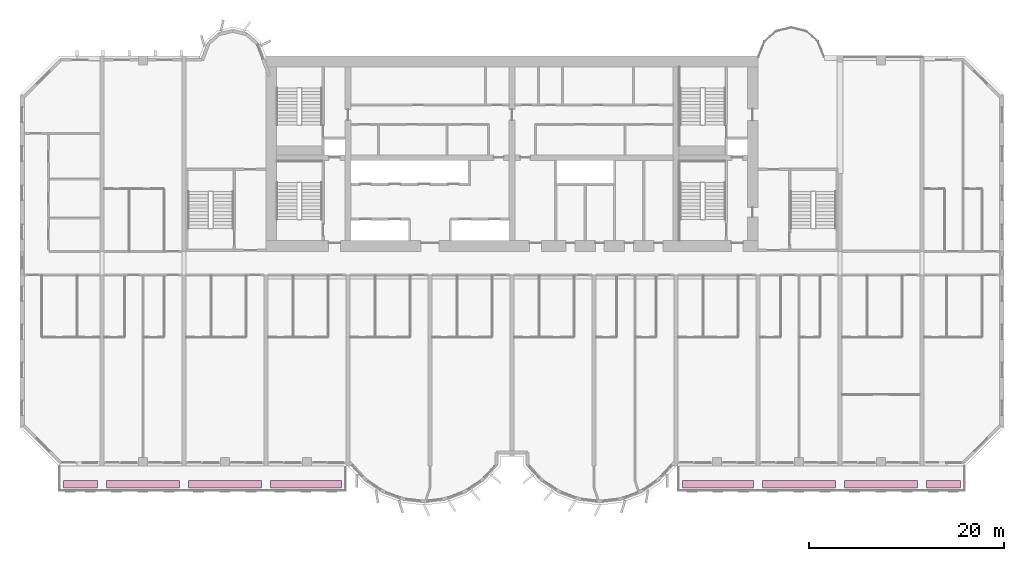
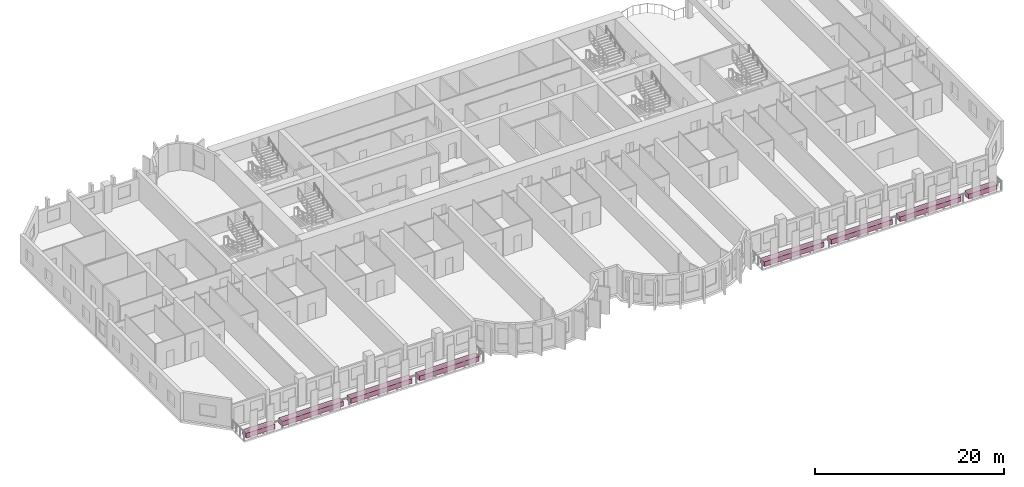
# One storey, part 14 of 14: 8 furniture elements.
"""IFC4 building model written with IfcOpenShell, lengths in metres."""

from ifc_helpers import new_model, si_unit, direction, frame, origin, origin_2d, place, context, subcontext, project, spatial, rectangle, extrude, source, transform, mapped, material, type_object, element, save


model = new_model("IFC4")

# Units and contexts
model_context = context("Model", 3, precision=1e-05, world=origin(), true_north=direction((0.0, 1.0)))
body_context = subcontext(model_context, "Body", "Model", "MODEL_VIEW")
ifc_project = project(units=[si_unit("LENGTHUNIT", "METRE"), si_unit("AREAUNIT", "SQUARE_METRE"), si_unit("VOLUMEUNIT", "CUBIC_METRE"), si_unit("PLANEANGLEUNIT", "RADIAN"), si_unit("MASSUNIT", "GRAM", prefix="KILO")], contexts=[model_context])

# Site, building, storey
site_placement = place(None, origin())
site = spatial("IfcSite", under=ifc_project, at=site_placement, CompositionType="ELEMENT")
building_placement = place(site_placement, origin())
building = spatial("IfcBuilding", under=site, at=building_placement, Name="Vanashikhar Sky Hotel", CompositionType="ELEMENT")
storey_placement = place(building_placement, frame((0.0, 0.0, 43.0)))
storey = spatial("IfcBuildingStorey", under=building, at=storey_placement, Name="L09", CompositionType="ELEMENT", Elevation=43.0)

# Furniture
ifc_material = material(Name="Planting soil and shrubs")
furniture_type = type_object("IfcFurnitureType", Name="Planter trough", AssemblyPlace="NOTDEFINED", PredefinedType="USERDEFINED", material=ifc_material)
shared_shape_1 = source(origin(), body_context, "Body", "SweptSolid", [
    extrude(rectangle(XDim=3.5, YDim=0.800048828125, at=origin_2d()), origin(), (0.0, 0.0, 1.0), 0.60009765625),
])
for number, where, z_axis, x_axis, name in (
    (1, (6.199951171875, -1.85009765625, -0.050048828125), (0.0, 0.0, 1.0), (1.0, 0.0, 0.0), "PLANTER with climbers"),
    (2, (94.60009765625, -1.85009765625, -0.050048828125), (0.0, 0.0, 1.0), (1.0, 0.0, 0.0), "PLANTER with climbers"),
):
    element("IfcFurniture", number, at=place(storey_placement, frame(where, z_axis=z_axis, x_axis=x_axis)), inside=storey, type_object=furniture_type, Name=name, ObjectType="PLANTER", PredefinedType="USERDEFINED", context=body_context, shape_type="MappedRepresentation", body=[
        mapped(shared_shape_1, transform((0.0, 0.0, 0.0), scale=1.0)),
    ])
shared_shape_2 = source(origin(), body_context, "Body", "SweptSolid", [
    extrude(rectangle(XDim=7.5, YDim=0.800048828125, at=origin_2d()), origin(), (0.0, 0.0, 1.0), 0.60009765625),
])
for number, where, z_axis, x_axis, name in (
    (3, (12.60009765625, -1.85009765625, -0.050048828125), (0.0, 0.0, 1.0), (1.0, 0.0, 0.0), "PLANTER with climbers"),
    (4, (21.0, -1.85009765625, -0.050048828125), (0.0, 0.0, 1.0), (1.0, 0.0, 0.0), "PLANTER with climbers"),
    (5, (79.800048828125, -1.85009765625, -0.050048828125), (0.0, 0.0, 1.0), (1.0, 0.0, 0.0), "PLANTER with climbers"),
    (6, (88.199951171875, -1.85009765625, -0.050048828125), (0.0, 0.0, 1.0), (1.0, 0.0, 0.0), "PLANTER with climbers"),
):
    element("IfcFurniture", number, at=place(storey_placement, frame(where, z_axis=z_axis, x_axis=x_axis)), inside=storey, type_object=furniture_type, Name=name, ObjectType="PLANTER", PredefinedType="USERDEFINED", context=body_context, shape_type="MappedRepresentation", body=[
        mapped(shared_shape_2, transform((0.0, 0.0, 0.0), scale=1.0)),
    ])
shared_shape_3 = source(origin(), body_context, "Body", "SweptSolid", [
    extrude(rectangle(XDim=7.300048828125, YDim=0.800048828125, at=origin_2d()), origin(), (0.0, 0.0, 1.0), 0.60009765625),
])
for number, where, z_axis, x_axis, name in (
    (7, (29.300048828125, -1.85009765625, -0.050048828125), (0.0, 0.0, 1.0), (1.0, 0.0, 0.0), "PLANTER with climbers"),
    (8, (71.5, -1.85009765625, -0.050048828125), (0.0, 0.0, 1.0), (1.0, 0.0, 0.0), "PLANTER with climbers"),
):
    element("IfcFurniture", number, at=place(storey_placement, frame(where, z_axis=z_axis, x_axis=x_axis)), inside=storey, type_object=furniture_type, Name=name, ObjectType="PLANTER", PredefinedType="USERDEFINED", context=body_context, shape_type="MappedRepresentation", body=[
        mapped(shared_shape_3, transform((0.0, 0.0, 0.0), scale=1.0)),
    ])

save(model, "model.ifc")
